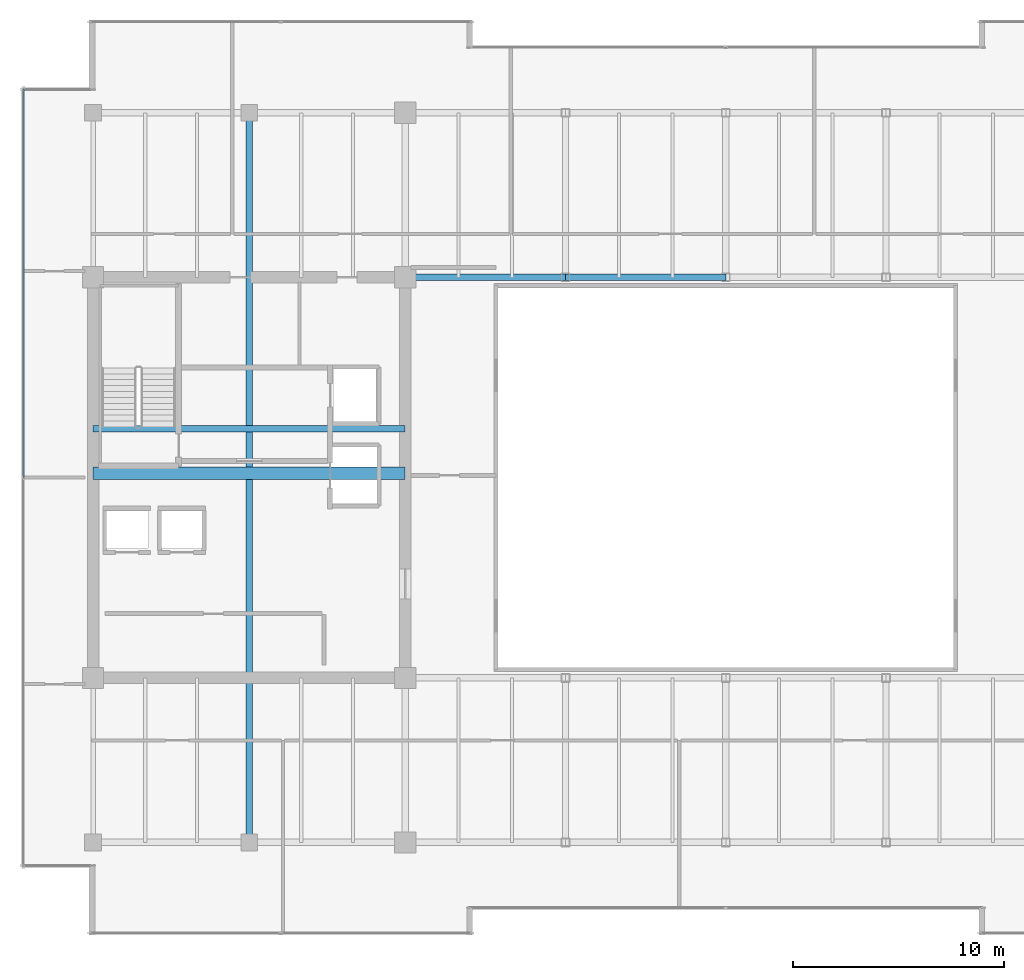
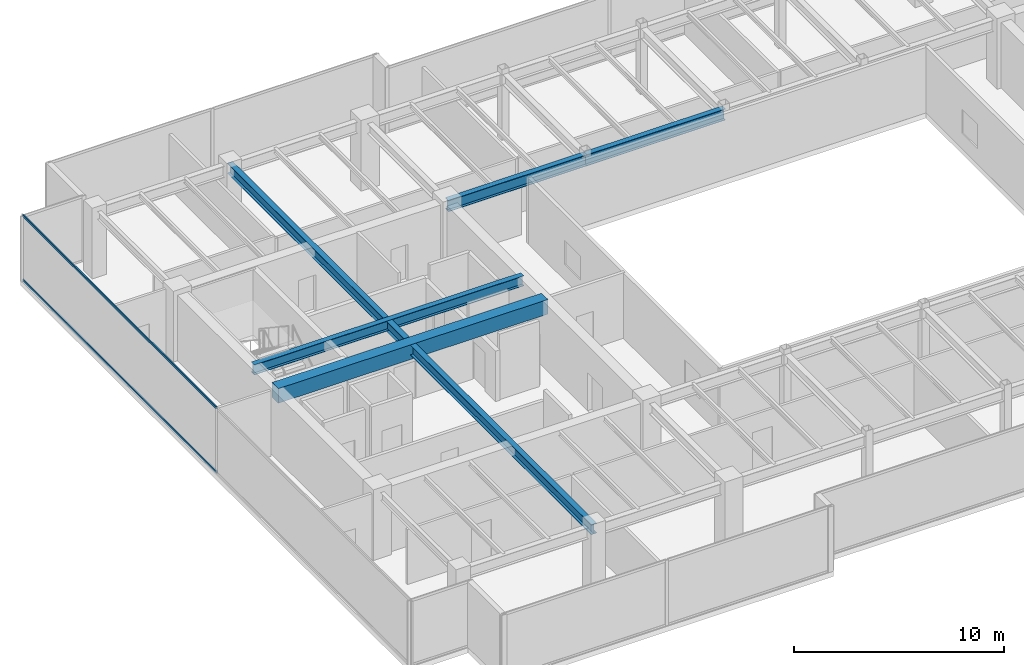
# One storey, part 10 of 33: 5 beams, 2 members, 1 element without a shape of its own.
"""IFC4 building model written with IfcOpenShell, lengths in metres."""

from ifc_helpers import new_model, si_unit, direction, frame, origin, origin_2d, place, context, subcontext, project, spatial, rectangle, hollow_rectangle, i_section, extrude, source, transform, mapped, material, layer, layer_set, material_profile, profile_set, type_object, type_shapes, element, aggregate, save


model = new_model("IFC4")

# Units and contexts
model_context = context("Model", 3, precision=1e-05, world=origin(), true_north=direction((0.0, 1.0)))
body_context = subcontext(model_context, "Body", "Model", "MODEL_VIEW")
ifc_project = project(units=[si_unit("LENGTHUNIT", "METRE"), si_unit("AREAUNIT", "SQUARE_METRE"), si_unit("VOLUMEUNIT", "CUBIC_METRE"), si_unit("PLANEANGLEUNIT", "RADIAN"), si_unit("MASSUNIT", "GRAM", prefix="KILO")], contexts=[model_context])

# Site, building, storey
site_placement = place(None, origin())
site = spatial("IfcSite", under=ifc_project, at=site_placement, CompositionType="ELEMENT")
building_placement = place(site_placement, origin())
building = spatial("IfcBuilding", under=site, at=building_placement, Name="Haelvirn Gate Laboratories", CompositionType="ELEMENT")
storey_placement = place(building_placement, frame((0.0, 0.0, 217.800048828125)))
storey = spatial("IfcBuildingStorey", under=building, at=storey_placement, Name="L52", CompositionType="ELEMENT", Elevation=217.800048828125)

# Beams
ifc_material_1 = material(Name="Steel SM355", Category="steel")
ifc_material_profile_1 = material_profile(ifc_material_1, i_section(OverallWidth=0.300048828125, OverallDepth=0.587890625, WebThickness=0.011962890625, FlangeThickness=0.02001953125, at=origin_2d()), Name="H-588x300x12x20")
ifc_profile_set_1 = profile_set([ifc_material_profile_1], Name="Steel SM355")
beam_type_1 = type_object("IfcBeamType", Name="BM-G-588", PredefinedType="BEAM", material=ifc_profile_set_1)
shared_shape_1 = source(origin(), body_context, "Body", "SweptSolid", [
    extrude(i_section(OverallWidth=0.300048828125, OverallDepth=0.587890625, WebThickness=0.011962890625, FlangeThickness=0.02001953125, at=origin_2d()), origin(), (0.0, 0.0, 1.0), 14.800048828125),
])
beam_1_placement = place(storey_placement, frame((7.39990234375, 26.6201171875, 3.505859375), z_axis=(1.0, 0.0, 0.0), x_axis=(0.0, 1.0, 0.0)))
element("IfcBeam", 1, at=beam_1_placement, inside=storey, type_object=beam_type_1, Name="L52 Stair ST1 Landing Header", PredefinedType="BEAM", context=body_context, shape_type="MappedRepresentation", body=[
    mapped(shared_shape_1, transform((0.0, 0.0, 0.0), scale=1.0)),
])
shared_shape_2 = source(origin(), body_context, "Body", "SweptSolid", [
    extrude(i_section(OverallWidth=0.300048828125, OverallDepth=0.587890625, WebThickness=0.011962890625, FlangeThickness=0.02001953125, at=origin_2d()), origin(), (0.0, 0.0, 1.0), 34.60009765625),
])
type_shapes(beam_type_1, [shared_shape_1, shared_shape_2])
beam_2_placement = place(storey_placement, frame((14.800048828125, 7.0, 3.505859375), z_axis=(0.0, 1.0, 0.0), x_axis=(-1.0, 0.0, 0.0)))
element("IfcBeam", 2, at=beam_2_placement, inside=storey, type_object=beam_type_1, Name="L52 Frame Girder X14.8 (7.0-41.6)", PredefinedType="BEAM", context=body_context, shape_type="MappedRepresentation", body=[
    mapped(shared_shape_2, transform((0.0, 0.0, 0.0), scale=1.0)),
])
ifc_material_2 = material(Name="Concrete C50/60", Category="concrete")
ifc_material_profile_2 = material_profile(ifc_material_2, rectangle(XDim=0.60009765625, YDim=0.85009765625, at=origin_2d()), Name="RCB-600x850")
ifc_profile_set_2 = profile_set([ifc_material_profile_2], Name="Concrete C50/60")
beam_type_2 = type_object("IfcBeamType", Name="BM-RCB-850", PredefinedType="LINTEL", material=ifc_profile_set_2)
shared_shape_3 = source(origin(), body_context, "Body", "SweptSolid", [
    extrude(rectangle(XDim=0.60009765625, YDim=0.85009765625, at=origin_2d()), origin(), (0.0, 0.0, 1.0), 14.800048828125),
])
type_shapes(beam_type_2, [shared_shape_3])
beam_3_placement = place(storey_placement, frame((7.39990234375, 24.5, 3.375), z_axis=(1.0, 0.0, 0.0), x_axis=(0.0, 1.0, 0.0)))
element("IfcBeam", 3, at=beam_3_placement, inside=storey, type_object=beam_type_2, Name="L52 West Core Coupling Beam", PredefinedType="LINTEL", context=body_context, shape_type="MappedRepresentation", body=[
    mapped(shared_shape_3, transform((0.0, 0.0, 0.0), scale=1.0)),
])
ifc_material_profile_3 = material_profile(ifc_material_1, i_section(OverallWidth=0.300048828125, OverallDepth=0.64990234375, WebThickness=0.012939453125, FlangeThickness=0.02197265625, at=origin_2d()), Name="H-650x300x13x22")
ifc_profile_set_3 = profile_set([ifc_material_profile_3], Name="Steel SM355")
beam_type_3 = type_object("IfcBeamType", Name="BM-G-650", PredefinedType="BEAM", material=ifc_profile_set_3)
shared_shape_4 = source(origin(), body_context, "Body", "SweptSolid", [
    extrude(i_section(OverallWidth=0.300048828125, OverallDepth=0.64990234375, WebThickness=0.012939453125, FlangeThickness=0.02197265625, at=origin_2d()), origin(), (0.0, 0.0, 1.0), 7.60009765625),
])
beam_4_placement = place(storey_placement, frame((22.199951171875, 33.800048828125, 3.474853515625), z_axis=(1.0, 0.0, 0.0), x_axis=(0.0, 1.0, 0.0)))
element("IfcBeam", 4, at=beam_4_placement, inside=storey, type_object=beam_type_3, Name="L52 Primary Girder Y33.8 (22.2-29.8)", PredefinedType="BEAM", context=body_context, shape_type="MappedRepresentation", body=[
    mapped(shared_shape_4, transform((0.0, 0.0, 0.0), scale=1.0)),
])
shared_shape_5 = source(origin(), body_context, "Body", "SweptSolid", [
    extrude(i_section(OverallWidth=0.300048828125, OverallDepth=0.64990234375, WebThickness=0.012939453125, FlangeThickness=0.02197265625, at=origin_2d()), origin(), (0.0, 0.0, 1.0), 7.599853515625),
])
type_shapes(beam_type_3, [shared_shape_4, shared_shape_5])
beam_5_placement = place(storey_placement, frame((29.800048828125, 33.800048828125, 3.474853515625), z_axis=(1.0, 0.0, 0.0), x_axis=(0.0, 1.0, 0.0)))
element("IfcBeam", 5, at=beam_5_placement, inside=storey, type_object=beam_type_3, Name="L52 Primary Girder Y33.8 (29.8-37.4)", PredefinedType="BEAM", context=body_context, shape_type="MappedRepresentation", body=[
    mapped(shared_shape_5, transform((0.0, 0.0, 0.0), scale=1.0)),
])

# Curtain wall, members
ifc_material_3 = material(Name="Anodised bronze unitised aluminium & triple low-E glass", Category="aluminium")
ifc_layer = layer(ifc_material_3, 0.176025390625, Name="CW-SYS-4")
ifc_layer_set = layer_set([ifc_layer], Name="Anodised bronze unitised aluminium & triple low-E glass")
curtain_wall_type = type_object("IfcCurtainWallType", Name="CW-SYS-4", PredefinedType="NOTDEFINED", material=ifc_layer_set)
curtain_wall_placement = place(storey_placement, origin())
curtain_wall = element("IfcCurtainWall", 6, at=curtain_wall_placement, inside=storey, type_object=curtain_wall_type, Name="L52 Unitised Curtain Wall CW-L52-P0-E17", PredefinedType="NOTDEFINED")
ifc_material_4 = material(Name="Extruded aluminium 6063-T6 (anodised bronze)", Category="aluminium")
ifc_material_profile_4 = material_profile(ifc_material_4, hollow_rectangle(XDim=0.06494140625, YDim=0.139892578125, WallThickness=0.00390625, at=origin_2d()), Name="CWT-140x65x4")
ifc_profile_set_4 = profile_set([ifc_material_profile_4], Name="Extruded aluminium 6063-T6 (anodised bronze)")
member_type = type_object("IfcMemberType", Name="CWT-T140", PredefinedType="USERDEFINED", material=ifc_profile_set_4)
shared_shape_6 = source(origin(), body_context, "Body", "SweptSolid", [
    extrude(hollow_rectangle(XDim=0.06494140625, YDim=0.139892578125, WallThickness=0.00390625, at=origin_2d()), origin(), (0.0, 0.0, 1.0), 18.39501953125),
])
type_shapes(member_type, [shared_shape_6])
member_1_placement = place(storey_placement, frame((4.10009765625, 42.72998046875, 0.032470703125), z_axis=(0.0, -1.0, 0.0), x_axis=(1.0, 0.0, 0.0)))
member_1 = element("IfcMember", 7, at=member_1_placement, type_object=member_type, Name="CW4 transom 1.1", ObjectType="TRANSOM", PredefinedType="USERDEFINED", context=body_context, shape_type="MappedRepresentation", body=[
    mapped(shared_shape_6, transform((0.0, 0.0, 0.0), scale=1.0)),
])
member_2_placement = place(storey_placement, frame((4.10009765625, 42.72998046875, 3.767333984375), z_axis=(0.0, -1.0, 0.0), x_axis=(1.0, 0.0, 0.0)))
member_2 = element("IfcMember", 8, at=member_2_placement, type_object=member_type, Name="CW4 transom 1.2", ObjectType="TRANSOM", PredefinedType="USERDEFINED", context=body_context, shape_type="MappedRepresentation", body=[
    mapped(shared_shape_6, transform((0.0, 0.0, 0.0), scale=1.0)),
])
aggregate(curtain_wall, [member_1, member_2])

save(model, "model.ifc")
